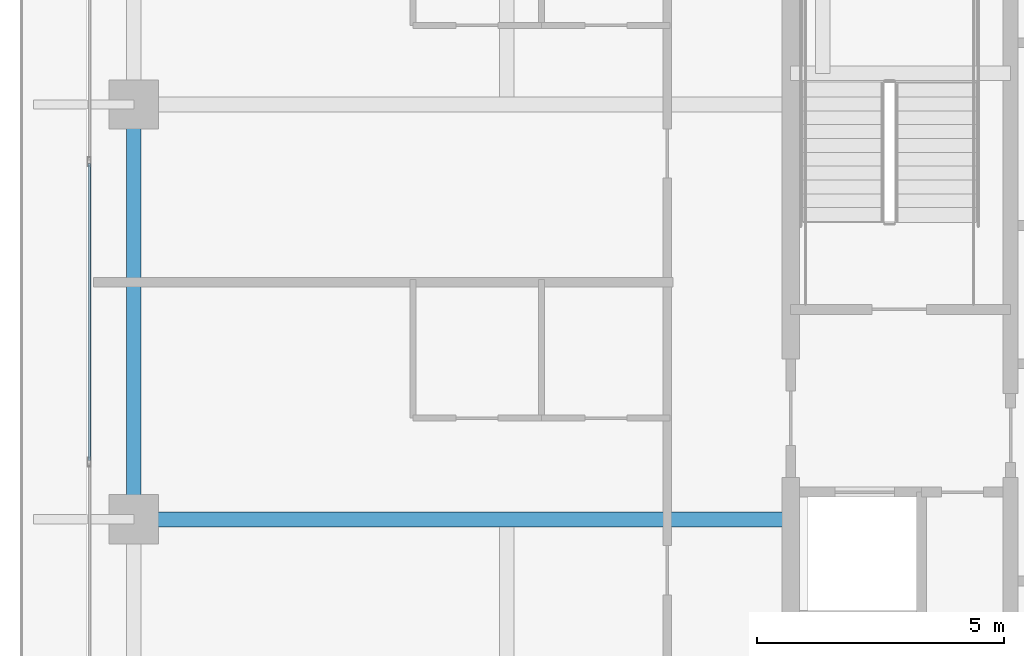
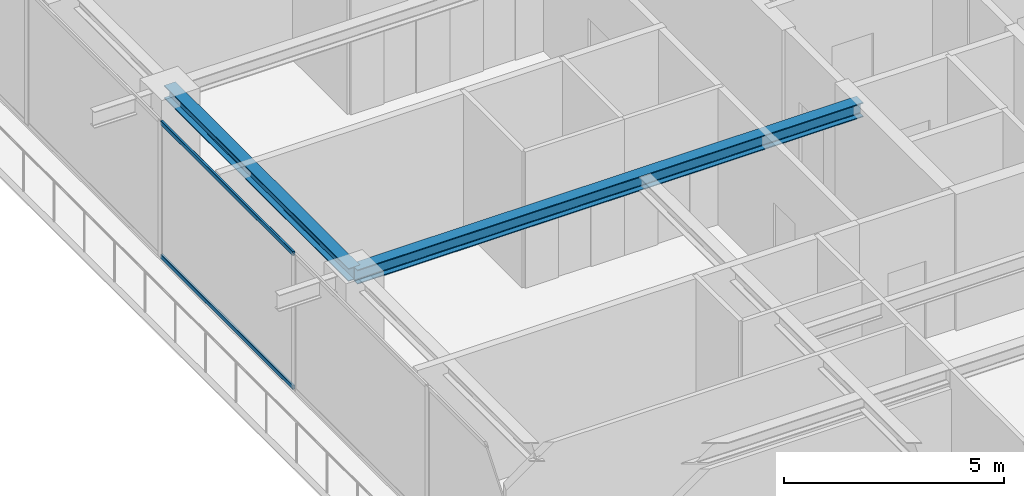
# One storey, part 9 of 42: 2 beams, 2 members, 1 element without a shape of its own.
"""IFC4 building model written with IfcOpenShell, lengths in metres."""

from ifc_helpers import new_model, si_unit, direction, frame, origin, origin_2d, place, context, subcontext, project, spatial, hollow_rectangle, i_section, extrude, source, transform, mapped, material, layer, layer_set, material_profile, profile_set, type_object, element, aggregate, save


model = new_model("IFC4")

# Units and contexts
model_context = context("Model", 3, precision=1e-05, world=origin(), true_north=direction((0.0, 1.0)))
body_context = subcontext(model_context, "Body", "Model", "MODEL_VIEW")
ifc_project = project(units=[si_unit("LENGTHUNIT", "METRE"), si_unit("AREAUNIT", "SQUARE_METRE"), si_unit("VOLUMEUNIT", "CUBIC_METRE"), si_unit("PLANEANGLEUNIT", "RADIAN"), si_unit("MASSUNIT", "GRAM", prefix="KILO")], contexts=[model_context])

# Site, building, storey
site_placement = place(None, origin())
site = spatial("IfcSite", under=ifc_project, at=site_placement, CompositionType="ELEMENT")
building_placement = place(site_placement, origin())
building = spatial("IfcBuilding", under=site, at=building_placement, Name="Serunith Strait Residences", CompositionType="ELEMENT")
storey_placement = place(building_placement, frame((0.0, 0.0, 325.85009765625)))
storey = spatial("IfcBuildingStorey", under=building, at=storey_placement, Name="L81", CompositionType="ELEMENT", Elevation=325.85009765625)

# Beams
ifc_material_1 = material(Name="Steel S355J2", Category="steel")
ifc_material_profile_1 = material_profile(ifc_material_1, i_section(OverallWidth=0.300048828125, OverallDepth=0.39990234375, WebThickness=0.013427734375, FlangeThickness=0.02392578125, FilletRadius=0.027099609375, at=origin_2d()), Name="HEB 400")
ifc_profile_set_1 = profile_set([ifc_material_profile_1], Name="Steel S355J2")
beam_type_1 = type_object("IfcBeamType", Name="BM-HEB400", PredefinedType="BEAM", material=ifc_profile_set_1)
shared_shape_1 = source(origin(), body_context, "Body", "SweptSolid", [
    extrude(i_section(OverallWidth=0.300048828125, OverallDepth=0.39990234375, WebThickness=0.013427734375, FlangeThickness=0.02392578125, FilletRadius=0.027099609375, at=origin_2d()), origin(), (0.0, 0.0, 1.0), 13.2998046875),
])
beam_1_placement = place(storey_placement, frame((23.39990234375, 21.0, 3.5869140625), z_axis=(-1.0, 0.0, 0.0), x_axis=(0.0, -1.0, 0.0)))
element("IfcBeam", 1, at=beam_1_placement, inside=storey, type_object=beam_type_1, Name="L81 Primary Floor Girder TC-W2", PredefinedType="BEAM", context=body_context, shape_type="MappedRepresentation", body=[
    mapped(shared_shape_1, transform((0.0, 0.0, 0.0), scale=1.0)),
])
ifc_material_profile_2 = material_profile(ifc_material_1, i_section(OverallWidth=0.300048828125, OverallDepth=0.360107421875, WebThickness=0.012451171875, FlangeThickness=0.0224609375, FilletRadius=0.027099609375, at=origin_2d()), Name="HEB 360")
ifc_profile_set_2 = profile_set([ifc_material_profile_2], Name="Steel S355J2")
beam_type_2 = type_object("IfcBeamType", Name="BM-HEB360", PredefinedType="BEAM", material=ifc_profile_set_2)
shared_shape_2 = source(origin(), body_context, "Body", "SweptSolid", [
    extrude(i_section(OverallWidth=0.300048828125, OverallDepth=0.360107421875, WebThickness=0.012451171875, FlangeThickness=0.0224609375, FilletRadius=0.027099609375, at=origin_2d()), origin(), (0.0, 0.0, 1.0), 8.39990234375),
])
beam_2_placement = place(storey_placement, frame((10.10009765625, 29.39990234375, 3.60693359375), z_axis=(0.0, -1.0, 0.0), x_axis=(1.0, 0.0, 0.0)))
element("IfcBeam", 2, at=beam_2_placement, inside=storey, type_object=beam_type_2, Name="L81 Perimeter Ring Beam 14", PredefinedType="BEAM", context=body_context, shape_type="MappedRepresentation", body=[
    mapped(shared_shape_2, transform((0.0, 0.0, 0.0), scale=1.0)),
])

# Curtain wall, members
ifc_material_2 = material(Name="Brushed Stainless-Silver Aluminium", Category="aluminium")
ifc_layer = layer(ifc_material_2, 0.199951171875, Name="Brushed Stainless-Silver Aluminium")
ifc_layer_set = layer_set([ifc_layer], Name="Brushed Stainless-Silver Aluminium")
curtain_wall_type = type_object("IfcCurtainWallType", Name="CW-SYS5", PredefinedType="NOTDEFINED", material=ifc_layer_set)
curtain_wall_placement = place(storey_placement, origin())
curtain_wall = element("IfcCurtainWall", 3, at=curtain_wall_placement, inside=storey, type_object=curtain_wall_type, Name="L81 W Unitised Fritted Curtain Wall", PredefinedType="NOTDEFINED")
ifc_material_profile_3 = material_profile(ifc_material_2, hollow_rectangle(XDim=0.06005859375, YDim=0.1201171875, WallThickness=0.00341796875, InnerFilletRadius=0.00537109375, OuterFilletRadius=0.0087890625, at=origin_2d()), Name="ALU 120x60x3.5")
ifc_profile_set_3 = profile_set([ifc_material_profile_3], Name="Brushed Stainless-Silver Aluminium")
member_type = type_object("IfcMemberType", Name="CW-SYS5-TRAN", PredefinedType="USERDEFINED", material=ifc_profile_set_3)
shared_shape_3 = source(origin(), body_context, "Body", "SweptSolid", [
    extrude(hollow_rectangle(XDim=0.06005859375, YDim=0.1201171875, WallThickness=0.00341796875, InnerFilletRadius=0.00537109375, OuterFilletRadius=0.0087890625, at=origin_2d()), origin(), (0.0, 0.0, 1.0), 6.01513671875),
])
member_1_placement = place(storey_placement, frame((9.199951171875, 28.20751953125, 0.02978515625), z_axis=(0.0, -1.0, 0.0), x_axis=(1.0, 0.0, 0.0)))
member_1 = element("IfcMember", 4, at=member_1_placement, type_object=member_type, Name="CW-5 transom 3.1", ObjectType="TRANSOM", PredefinedType="USERDEFINED", context=body_context, shape_type="MappedRepresentation", body=[
    mapped(shared_shape_3, transform((0.0, 0.0, 0.0), scale=1.0)),
])
member_2_placement = place(storey_placement, frame((9.199951171875, 28.20751953125, 3.744873046875), z_axis=(0.0, -1.0, 0.0), x_axis=(1.0, 0.0, 0.0)))
member_2 = element("IfcMember", 5, at=member_2_placement, type_object=member_type, Name="CW-5 transom 3.2", ObjectType="TRANSOM", PredefinedType="USERDEFINED", context=body_context, shape_type="MappedRepresentation", body=[
    mapped(shared_shape_3, transform((0.0, 0.0, 0.0), scale=1.0)),
])
aggregate(curtain_wall, [member_1, member_2])

save(model, "model.ifc")
